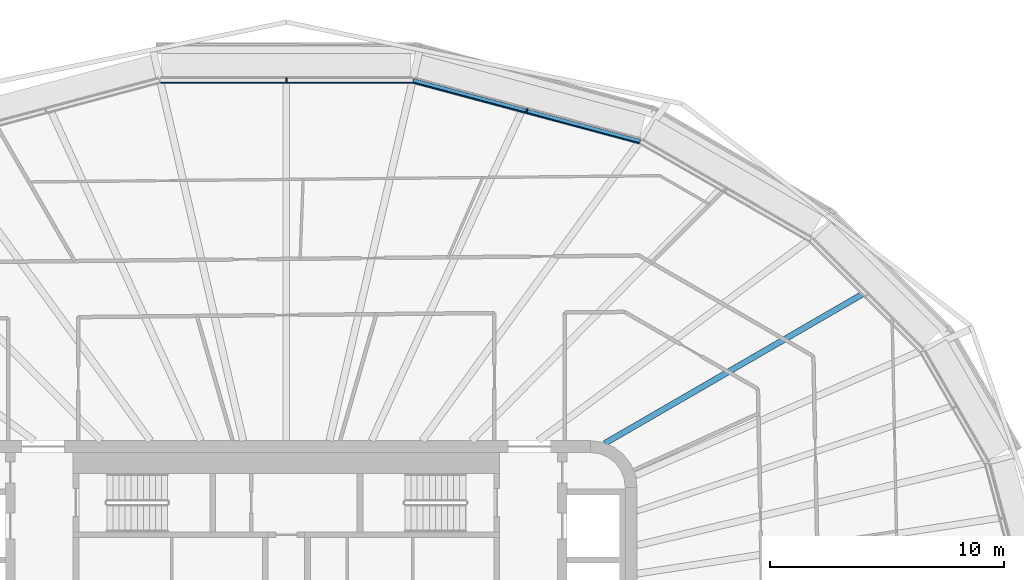
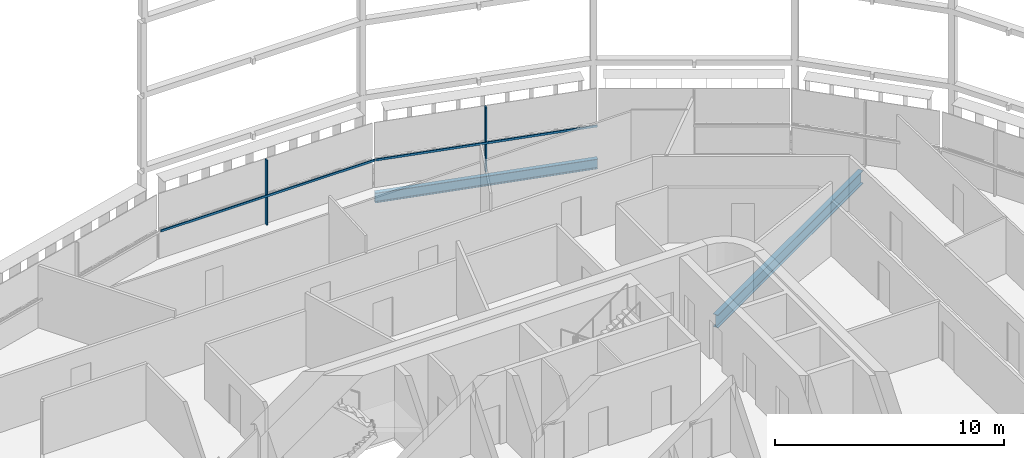
# One storey, part 8 of 24: 4 members, 2 beams, 2 elements without a shape of their own.
"""IFC4 building model written with IfcOpenShell, lengths in metres."""

from ifc_helpers import new_model, si_unit, direction, frame, origin, origin_2d, place, context, subcontext, project, spatial, rectangle, i_section, extrude, material, layer, layer_set, material_profile, profile_set, type_object, element, aggregate, save


model = new_model("IFC4")

# Units and contexts
model_context = context("Model", 3, precision=1e-05, world=origin(), true_north=direction((0.0, 1.0)))
body_context = subcontext(model_context, "Body", "Model", "MODEL_VIEW")
ifc_project = project(units=[si_unit("LENGTHUNIT", "METRE"), si_unit("AREAUNIT", "SQUARE_METRE"), si_unit("VOLUMEUNIT", "CUBIC_METRE"), si_unit("PLANEANGLEUNIT", "RADIAN"), si_unit("MASSUNIT", "GRAM", prefix="KILO")], contexts=[model_context])

# Site, building, storey
site_placement = place(None, origin())
site = spatial("IfcSite", under=ifc_project, at=site_placement, CompositionType="ELEMENT")
building_placement = place(site_placement, origin())
building = spatial("IfcBuilding", under=site, at=building_placement, Name="Sahrelin Media Tower", CompositionType="ELEMENT")
storey_placement = place(building_placement, frame((0.0, 0.0, 153.60009765625)))
storey = spatial("IfcBuildingStorey", under=building, at=storey_placement, Name="L31", CompositionType="ELEMENT", Elevation=153.60009765625)

# Beam
ifc_material_1 = material(Name="Steel S355", Category="steel")
ifc_material_profile_1 = material_profile(ifc_material_1, i_section(OverallWidth=0.208740234375, OverallDepth=0.5283203125, WebThickness=0.009521484375, FlangeThickness=0.01318359375, FilletRadius=0.0126953125, at=origin_2d()), Name="UB 533x210x82")
ifc_profile_set_1 = profile_set([ifc_material_profile_1], Name="Steel S355")
beam_type_1 = type_object("IfcBeamType", Name="Edge beam EB6", PredefinedType="BEAM", material=ifc_profile_set_1)
beam_1_placement = place(storey_placement, frame((5.422607421875, 23.378662109375, -0.414306640625), z_axis=(0.965924398273, -0.258824374473, 0.0), x_axis=(0.258824374473, 0.965924398273, 0.0)))
element("IfcBeam", 1, at=beam_1_placement, inside=storey, type_object=beam_type_1, Name="Edge beam L31-20", PredefinedType="BEAM", context=body_context, shape_type="SweptSolid", body=[
    extrude(i_section(OverallWidth=0.208740234375, OverallDepth=0.5283203125, WebThickness=0.009521484375, FlangeThickness=0.01318359375, FilletRadius=0.0126953125, at=origin_2d()), origin(), (0.0, 0.0, 1.0), 10.0439453125),
])

# Curtain wall, member
ifc_material_2 = material(Name="Champagne anodised aluminium 6063-T6", Category="aluminium")
ifc_layer = layer(ifc_material_2, 0.14990234375)
ifc_layer_set = layer_set([ifc_layer], Name="Tower ribbon curtain wall")
curtain_wall_type = type_object("IfcCurtainWallType", Name="Tower ribbon curtain wall", PredefinedType="NOTDEFINED", material=ifc_layer_set)
curtain_wall_1_placement = place(storey_placement, frame((10.312255859375, 22.2236328125, 0.0), z_axis=(0.0, 0.0, 1.0), x_axis=(1.0, 0.0, 0.0)))
curtain_wall_1 = element("IfcCurtainWall", 2, at=curtain_wall_1_placement, inside=storey, type_object=curtain_wall_type, Name="L31:CW:L31-05", PredefinedType="NOTDEFINED")
ifc_material_profile_2 = material_profile(ifc_material_2, rectangle(XDim=0.06005859375, YDim=0.175048828125, at=origin_2d()), Name="Mullion 60x175")
ifc_profile_set_2 = profile_set([ifc_material_profile_2], Name="Champagne anodised aluminium 6063-T6")
member_type_1 = type_object("IfcMemberType", Name="Mullion 60x175 CW1B", PredefinedType="MULLION", material=ifc_profile_set_2)
member_1_placement = place(storey_placement, frame((10.284423828125, 22.119873046875, 0.0), z_axis=(0.0, 0.0, 1.0), x_axis=(-0.965926729732, 0.258815673384, 0.0)))
member_1 = element("IfcMember", 3, at=member_1_placement, type_object=member_type_1, Name="L31:CWM:L31-05", PredefinedType="MULLION", context=body_context, shape_type="SweptSolid", body=[
    extrude(rectangle(XDim=0.06005859375, YDim=0.175048828125, at=origin_2d()), origin(), (0.0, 0.0, 1.0), 3.448486328125),
])

curtain_wall_2_placement = place(storey_placement, frame((0.0, 23.532470703125, 0.0), z_axis=(0.0, 0.0, 1.0), x_axis=(1.0, 0.0, 0.0)))
curtain_wall_2 = element("IfcCurtainWall", 4, at=curtain_wall_2_placement, inside=storey, type_object=curtain_wall_type, Name="L31:CW:L31-06", PredefinedType="NOTDEFINED")
member_2_placement = place(storey_placement, frame((0.0, 23.4248046875, 0.0), z_axis=(0.0, 0.0, 1.0), x_axis=(-1.0, 0.0, 0.0)))
member_2 = element("IfcMember", 5, at=member_2_placement, type_object=member_type_1, Name="L31:CWM:L31-06", PredefinedType="MULLION", context=body_context, shape_type="SweptSolid", body=[
    extrude(rectangle(XDim=0.06005859375, YDim=0.175048828125, at=origin_2d()), origin(), (0.0, 0.0, 1.0), 3.448486328125),
])

# Beam
ifc_material_profile_3 = material_profile(ifc_material_1, i_section(OverallWidth=0.2529296875, OverallDepth=0.677978515625, WebThickness=0.01171875, FlangeThickness=0.01611328125, FilletRadius=0.01513671875, at=origin_2d()), Name="UB 686x254x125")
ifc_profile_set_3 = profile_set([ifc_material_profile_3], Name="Steel S355")
beam_type_2 = type_object("IfcBeamType", Name="Radial secondary beam SB8", PredefinedType="BEAM", material=ifc_profile_set_3)
beam_2_placement = place(storey_placement, frame((13.624755859375, 7.887451171875, -0.489013671875), z_axis=(0.865442516247, 0.501008234535, 0.0), x_axis=(-0.501008234535, 0.865442516247, 0.0)))
element("IfcBeam", 6, at=beam_2_placement, inside=storey, type_object=beam_type_2, Name="Secondary beam L31-03", PredefinedType="BEAM", context=body_context, shape_type="SweptSolid", body=[
    extrude(i_section(OverallWidth=0.2529296875, OverallDepth=0.677978515625, WebThickness=0.01171875, FlangeThickness=0.01611328125, FilletRadius=0.01513671875, at=origin_2d()), origin(), (0.0, 0.0, 1.0), 12.700927734375),
])

# Member
ifc_material_profile_4 = material_profile(ifc_material_2, rectangle(XDim=0.050048828125, YDim=0.110107421875, at=origin_2d()), Name="Transom 50x110")
ifc_profile_set_4 = profile_set([ifc_material_profile_4], Name="Champagne anodised aluminium 6063-T6")
member_type_2 = type_object("IfcMemberType", Name="Transom 50x110 CW1B", PredefinedType="USERDEFINED", material=ifc_profile_set_4)
member_3_placement = place(storey_placement, frame((15.091064453125, 20.715576171875, 1.599853515625), z_axis=(-0.965929113775, 0.258806775726, 0.0), x_axis=(-0.258806775726, -0.965929113775, 0.0)))
member_3 = element("IfcMember", 7, at=member_3_placement, type_object=member_type_2, Name="L31:CWT:L31-05", ObjectType="TRANSOM", PredefinedType="USERDEFINED", context=body_context, shape_type="SweptSolid", body=[
    extrude(rectangle(XDim=0.050048828125, YDim=0.110107421875, at=origin_2d()), origin(), (0.0, 0.0, 1.0), 10.012451171875),
])

aggregate(curtain_wall_1, [member_1, member_3])

member_4_placement = place(storey_placement, frame((5.378173828125, 23.3125, 1.599853515625), z_axis=(-1.0, 0.0, 0.0), x_axis=(0.0, -1.0, 0.0)))
member_4 = element("IfcMember", 8, at=member_4_placement, type_object=member_type_2, Name="L31:CWT:L31-06", ObjectType="TRANSOM", PredefinedType="USERDEFINED", context=body_context, shape_type="SweptSolid", body=[
    extrude(rectangle(XDim=0.050048828125, YDim=0.110107421875, at=origin_2d()), origin(), (0.0, 0.0, 1.0), 10.75634765625),
])

aggregate(curtain_wall_2, [member_2, member_4])

save(model, "model.ifc")
